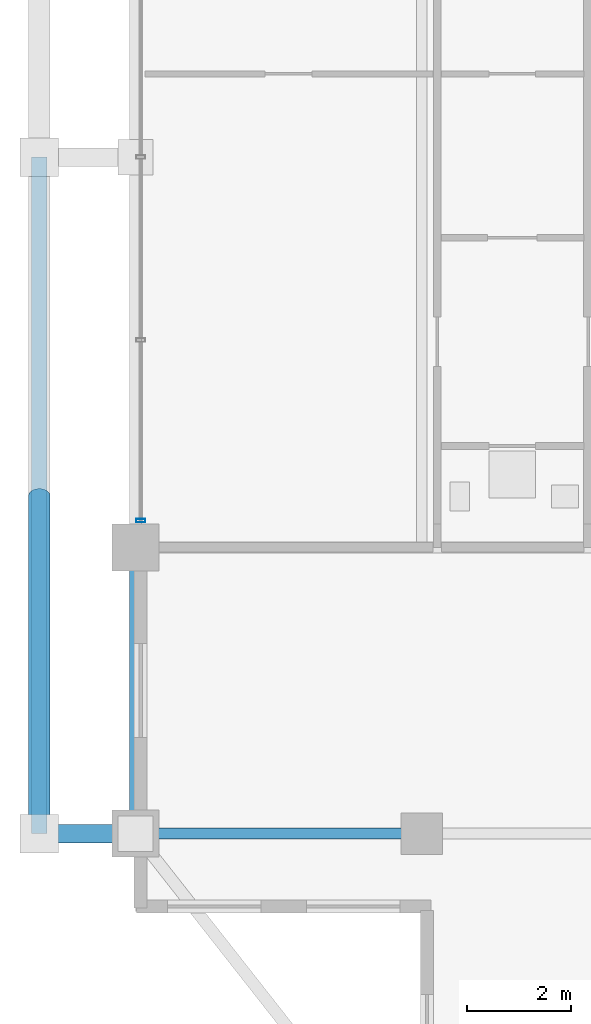
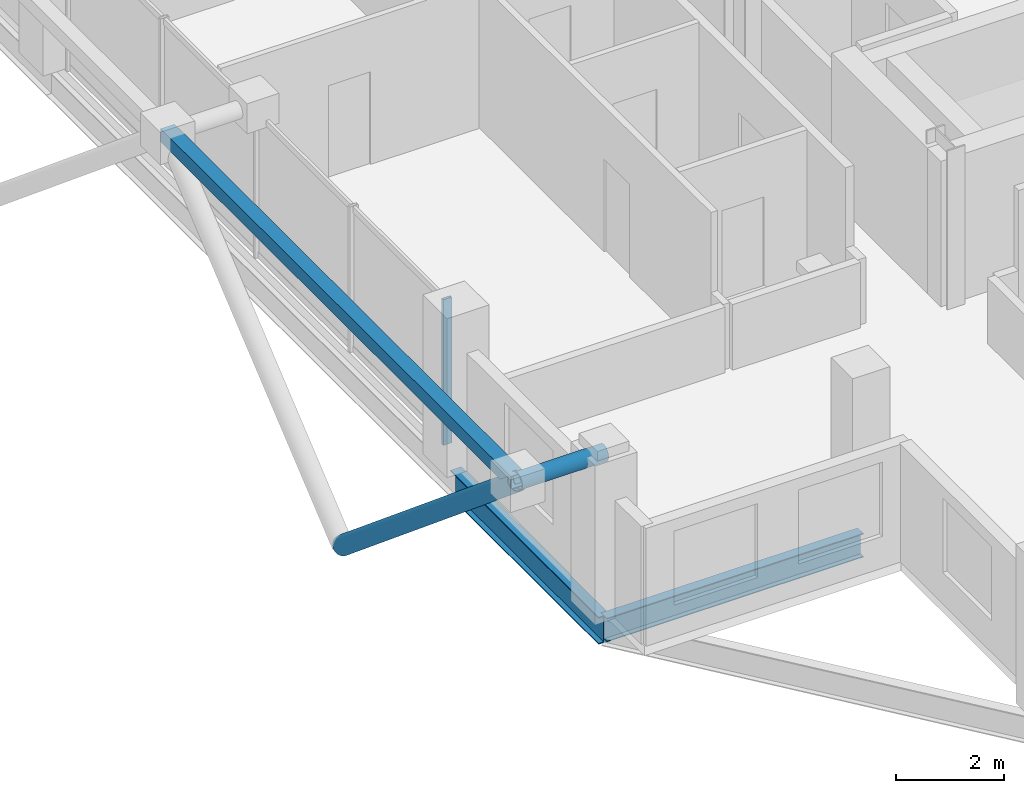
# One storey, part 3 of 25: 4 members, 2 beams, 1 element without a shape of its own.
"""IFC4 building model written with IfcOpenShell, lengths in metres."""

from ifc_helpers import new_model, si_unit, direction, frame, origin, origin_2d, place, context, subcontext, project, spatial, hollow_rectangle, hollow_circle, i_section, extrude, material, layer, layer_set, material_profile, profile_set, type_object, element, aggregate, save


model = new_model("IFC4")

# Units and contexts
model_context = context("Model", 3, precision=1e-05, world=origin(), true_north=direction((0.0, 1.0)))
body_context = subcontext(model_context, "Body", "Model", "MODEL_VIEW")
ifc_project = project(units=[si_unit("LENGTHUNIT", "METRE"), si_unit("AREAUNIT", "SQUARE_METRE"), si_unit("VOLUMEUNIT", "CUBIC_METRE"), si_unit("PLANEANGLEUNIT", "RADIAN"), si_unit("MASSUNIT", "GRAM", prefix="KILO")], contexts=[model_context])

# Site, building, storey
site_placement = place(None, origin())
site = spatial("IfcSite", under=ifc_project, at=site_placement, CompositionType="ELEMENT")
building_placement = place(site_placement, origin())
building = spatial("IfcBuilding", under=site, at=building_placement, Name="Barlavira Tower and Art Museum", CompositionType="ELEMENT")
storey_placement = place(building_placement, frame((0.0, 0.0, 301.5)))
storey = spatial("IfcBuildingStorey", under=building, at=storey_placement, Name="L79", CompositionType="ELEMENT", Elevation=301.5)

# Curtain wall, member
ifc_material_1 = material(Name="Low-iron coastal laminated glass", Category="glass")
ifc_layer = layer(ifc_material_1, 0.2099609375, Name="Low-iron coastal laminated glass")
ifc_layer_set = layer_set([ifc_layer], Name="Low-iron coastal laminated glass")
curtain_wall_type = type_object("IfcCurtainWallType", Name="Pale-Metal Unitised Curtain Wall Zone 4", PredefinedType="NOTDEFINED", material=ifc_layer_set)
curtain_wall_placement = place(storey_placement, origin())
curtain_wall = element("IfcCurtainWall", 1, at=curtain_wall_placement, inside=storey, type_object=curtain_wall_type, Name="L79 Curtain Wall CW4-L79-W-B3", PredefinedType="NOTDEFINED")
ifc_material_2 = material(Name="Pale anodised aluminium", Category="aluminium")
ifc_material_profile_1 = material_profile(ifc_material_2, hollow_rectangle(XDim=0.06494140625, YDim=0.179931640625, WallThickness=0.00390625, at=origin_2d()), Name="ALU-MULL 65x180x4")
ifc_profile_set_1 = profile_set([ifc_material_profile_1], Name="Pale anodised aluminium")
member_type_1 = type_object("IfcMemberType", Name="Curtain Wall Pale-Metal Mullion 65x180", PredefinedType="MULLION", material=ifc_profile_set_1)
member_1_placement = place(storey_placement, frame((-16.89990234375, -6.985107421875, 0.0), z_axis=(0.0, 0.0, 1.0), x_axis=(0.0, -1.0, 0.0)))
member_1 = element("IfcMember", 2, at=member_1_placement, type_object=member_type_1, Name="CW4-L79-W-B3 Mullion 4", PredefinedType="MULLION", context=body_context, shape_type="SweptSolid", body=[
    extrude(hollow_rectangle(XDim=0.06494140625, YDim=0.179931640625, WallThickness=0.00390625, at=origin_2d()), origin(), (0.0, 0.0, 1.0), 3.300048828125),
])
aggregate(curtain_wall, [member_1])

# Members
ifc_material_3 = material(Name="Steel S355", Category="steel")
ifc_material_profile_2 = material_profile(ifc_material_3, hollow_circle(Radius=0.203125, WallThickness=0.01611328125, at=origin_2d()), Name="CHS 406.4x16.0")
ifc_profile_set_2 = profile_set([ifc_material_profile_2], Name="Steel S355")
member_type_2 = type_object("IfcMemberType", Name="Pale-Metal Exoskeleton Diagrid Tube CHS 406x16 Steel S355", PredefinedType="BRACE", material=ifc_profile_set_2)
member_2_placement = place(storey_placement, frame((-18.85009765625, -6.5, -1.919921875), z_axis=(0.0, -0.769196053329, 0.639012857104), x_axis=(1.0, 0.0, 0.0)))
element("IfcMember", 3, at=member_2_placement, inside=storey, type_object=member_type_2, Name="L79 Exoskeleton Diagrid Tube W", PredefinedType="BRACE", context=body_context, shape_type="SweptSolid", body=[
    extrude(hollow_circle(Radius=0.203125, WallThickness=0.01611328125, at=origin_2d()), origin(), (0.0, 0.0, 1.0), 8.450439453125),
])
ifc_material_profile_3 = material_profile(ifc_material_3, hollow_circle(Radius=0.177734375, WallThickness=0.01611328125, at=origin_2d()), Name="CHS 355.6x16.0")
ifc_profile_set_3 = profile_set([ifc_material_profile_3], Name="Steel S355")
member_type_3 = type_object("IfcMemberType", Name="Pale-Metal Exoskeleton Tie Strut CHS 356x16 Steel S355", PredefinedType="STRUT", material=ifc_profile_set_3)
member_3_placement = place(storey_placement, frame((-18.85009765625, -13.0, 3.47998046875), z_axis=(1.0, 0.0, 0.0), x_axis=(0.0, 1.0, 0.0)))
element("IfcMember", 4, at=member_3_placement, inside=storey, type_object=member_type_3, Name="L79 Exoskeleton Top Tie Strut W1", PredefinedType="STRUT", context=body_context, shape_type="SweptSolid", body=[
    extrude(hollow_circle(Radius=0.177734375, WallThickness=0.01611328125, at=origin_2d()), origin(), (0.0, 0.0, 1.0), 1.85009765625),
])
ifc_material_profile_4 = material_profile(ifc_material_3, hollow_rectangle(XDim=0.300048828125, YDim=0.300048828125, WallThickness=0.01611328125, at=origin_2d()), Name="SHS 300x300x16.0")
ifc_profile_set_4 = profile_set([ifc_material_profile_4], Name="Steel S355")
member_type_4 = type_object("IfcMemberType", Name="Pale-Metal Upper Ring Strut SHS 300x300x16 Steel S355", PredefinedType="STRUT", material=ifc_profile_set_4)
member_4_placement = place(storey_placement, frame((-18.85009765625, -13.0, 3.47998046875), z_axis=(0.0, 1.0, 0.0), x_axis=(-1.0, 0.0, 0.0)))
element("IfcMember", 5, at=member_4_placement, inside=storey, type_object=member_type_4, Name="L79 Exoskeleton Top Ring Strut W", PredefinedType="STRUT", context=body_context, shape_type="SweptSolid", body=[
    extrude(hollow_rectangle(XDim=0.300048828125, YDim=0.300048828125, WallThickness=0.01611328125, at=origin_2d()), origin(), (0.0, 0.0, 1.0), 13.0),
])

# Beams
ifc_material_profile_5 = material_profile(ifc_material_3, i_section(OverallWidth=0.22998046875, OverallDepth=0.616943359375, WebThickness=0.01318359375, FlangeThickness=0.022216796875, at=origin_2d()), Name="W610x140.0")
ifc_profile_set_5 = profile_set([ifc_material_profile_5], Name="Steel S355")
beam_type_1 = type_object("IfcBeamType", Name="Upper Shaft Spandrel Edge Beam W610x140 Steel S355", PredefinedType="SPANDREL", material=ifc_profile_set_5)
beam_1_placement = place(storey_placement, frame((-17.0, -13.0, -0.528564453125), z_axis=(0.0, 1.0, 0.0), x_axis=(-1.0, 0.0, 0.0)))
element("IfcBeam", 6, at=beam_1_placement, inside=storey, type_object=beam_type_1, Name="L79 Spandrel 15", PredefinedType="SPANDREL", context=body_context, shape_type="SweptSolid", body=[
    extrude(i_section(OverallWidth=0.22998046875, OverallDepth=0.616943359375, WebThickness=0.01318359375, FlangeThickness=0.022216796875, at=origin_2d()), origin(), (0.0, 0.0, 1.0), 5.5),
])
ifc_material_profile_6 = material_profile(ifc_material_3, i_section(OverallWidth=0.2109375, OverallDepth=0.5390625, WebThickness=0.01171875, FlangeThickness=0.018798828125, at=origin_2d()), Name="W530x109.0")
ifc_profile_set_6 = profile_set([ifc_material_profile_6], Name="Steel S355")
beam_type_2 = type_object("IfcBeamType", Name="Zone 3-4 Primary Floor Girder W530x109 Steel S355", PredefinedType="BEAM", material=ifc_profile_set_6)
beam_2_placement = place(storey_placement, frame((-17.0, -13.0, -0.489501953125), z_axis=(1.0, 0.0, 0.0), x_axis=(0.0, 1.0, 0.0)))
element("IfcBeam", 7, at=beam_2_placement, inside=storey, type_object=beam_type_2, Name="L79 Girder I-S1", PredefinedType="BEAM", context=body_context, shape_type="SweptSolid", body=[
    extrude(i_section(OverallWidth=0.2109375, OverallDepth=0.5390625, WebThickness=0.01171875, FlangeThickness=0.018798828125, at=origin_2d()), origin(), (0.0, 0.0, 1.0), 5.5),
])

save(model, "model.ifc")
